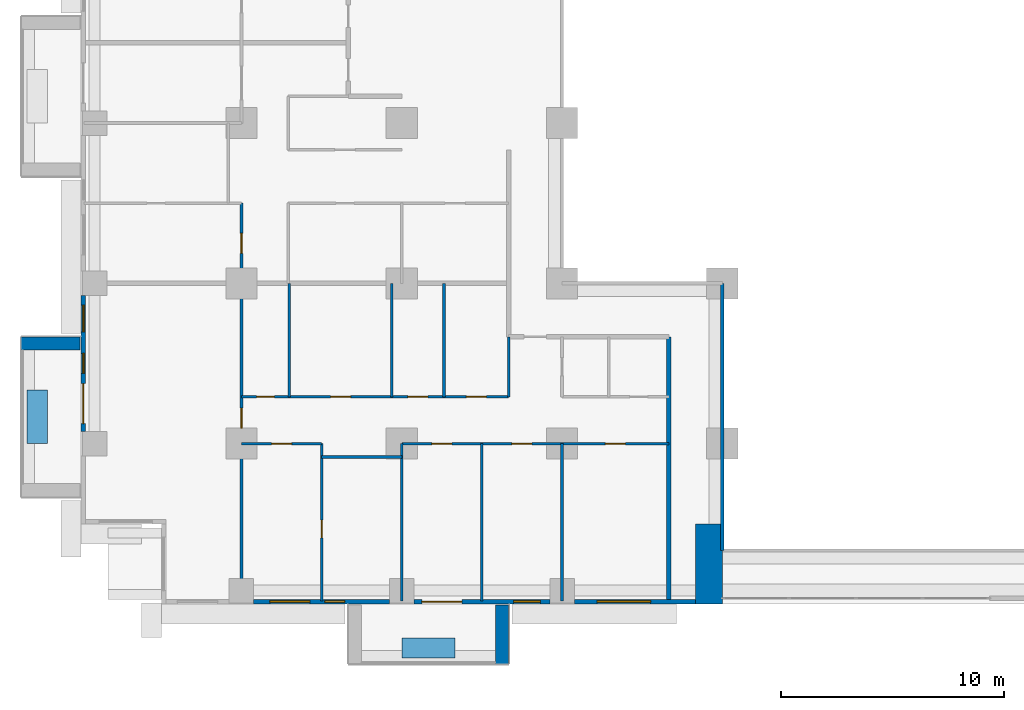
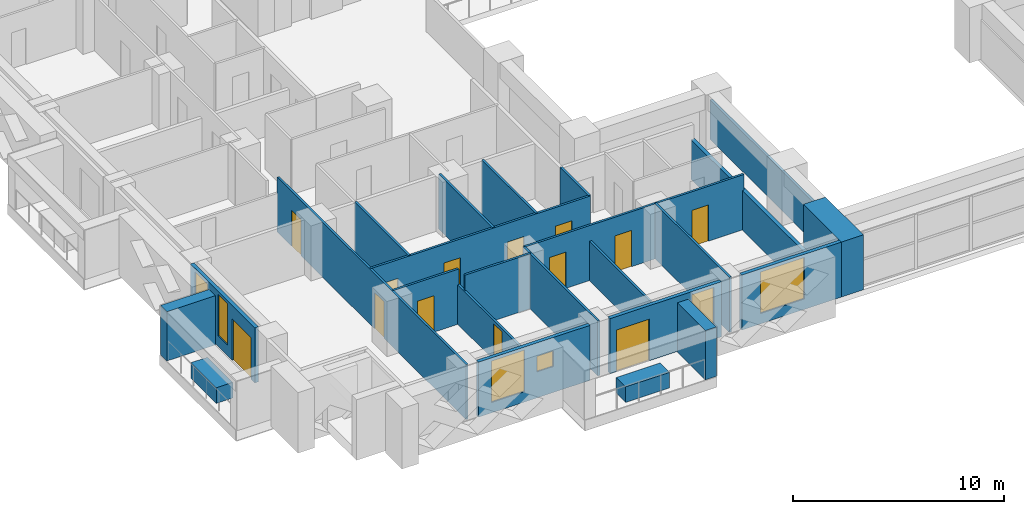
# One storey, part 6 of 17: 24 walls, 13 doors, 6 windows, 19 openings.
"""IFC4 building model written with IfcOpenShell, lengths in metres."""

from ifc_helpers import new_model, si_unit, direction, frame, frame_2d, origin, place, context, subcontext, project, spatial, rectangle, extrude, material, layer, layer_set, type_object, element, fill, save


model = new_model("IFC4")

# Units and contexts
model_context = context("Model", 3, precision=1e-05, world=origin(), true_north=direction((0.0, 1.0)))
body_context = subcontext(model_context, "Body", "Model", "MODEL_VIEW")
ifc_project = project(units=[si_unit("LENGTHUNIT", "METRE"), si_unit("AREAUNIT", "SQUARE_METRE"), si_unit("VOLUMEUNIT", "CUBIC_METRE"), si_unit("PLANEANGLEUNIT", "RADIAN"), si_unit("MASSUNIT", "GRAM", prefix="KILO")], contexts=[model_context])

# Site, building, storey
site_placement = place(None, origin())
site = spatial("IfcSite", under=ifc_project, at=site_placement, CompositionType="ELEMENT")
building_placement = place(site_placement, origin())
building = spatial("IfcBuilding", under=site, at=building_placement, Name="Saffron Iwan Residences", CompositionType="ELEMENT")
storey_placement = place(building_placement, frame((0.0, 0.0, 51.5)))
storey = spatial("IfcBuildingStorey", under=building, at=storey_placement, Name="L12", CompositionType="ELEMENT", Elevation=51.5)

# Walls
ifc_material_1 = material(Name="Fire-rated glazing", Category="glass")
ifc_layer_1 = layer(ifc_material_1, 0.14990234375)
ifc_layer_set_1 = layer_set([ifc_layer_1], Name="Fire-rated glazing")
wall_type_1 = type_object("IfcWallType", Name="Atrium glazed screen 150", PredefinedType="SOLIDWALL", material=ifc_layer_set_1)
wall_1_placement = place(storey_placement, frame((43.199951171875, 36.0, 0.0), z_axis=(0.0, 0.0, 1.0), x_axis=(0.0, 1.0, 0.0)))
element("IfcWall", 1, at=wall_1_placement, inside=storey, type_object=wall_type_1, Name="W-L12-SCREEN-v43.2-36", PredefinedType="SOLIDWALL", context=body_context, shape_type="SweptSolid", body=[
    extrude(rectangle(XDim=12.0, YDim=0.14990234375, at=frame_2d((6.0, 0.0))), origin(), (0.0, 0.0, 1.0), 2.280029296875),
])
ifc_material_2 = material(Name="Concrete C50/60 white painted", Category="concrete")
ifc_layer_2 = layer(ifc_material_2, 0.60009765625)
ifc_layer_set_2 = layer_set([ifc_layer_2], Name="Concrete C50/60 white painted")
wall_type_2 = type_object("IfcWallType", Name="BALCONY FIN 600", PredefinedType="SOLIDWALL", material=ifc_layer_set_2)
for number, where, z_axis, x_axis, name in (
    (2, (14.35009765625, 45.300048828125, 0.0), (0.0, 0.0, 1.0), (-1.0, 0.0, 0.0), "Balcony fin L12 F8-2a"),
    (3, (33.300048828125, 33.550048828125, 0.0), (0.0, 0.0, 1.0), (0.0, -1.0, 0.0), "Balcony fin L12 11-0b"),
):
    element("IfcWall", number, at=place(storey_placement, frame(where, z_axis=z_axis, x_axis=x_axis)), inside=storey, type_object=wall_type_2, Name=name, PredefinedType="SOLIDWALL", context=body_context, shape_type="SweptSolid", body=[
        extrude(rectangle(XDim=2.650146484375, YDim=0.60009765625, at=frame_2d((1.3251953125, 0.0))), origin(), (0.0, 0.0, 1.0), 2.85009765625),
    ])
ifc_material_3 = material(Name="Concrete C35/45 white painted", Category="concrete")
ifc_layer_3 = layer(ifc_material_3, 0.14990234375)
ifc_layer_set_3 = layer_set([ifc_layer_3], Name="Concrete C35/45 white painted")
wall_type_3 = type_object("IfcWallType", Name="BALCONY PLANTER", PredefinedType="SOLIDWALL", material=ifc_layer_set_3)
for number, where, z_axis, x_axis, name in (
    (4, (12.425048828125, 43.199951171875, 0.0), (0.0, 0.0, 1.0), (0.0, -1.0, 0.0), "PLANTER L12 F8-2"),
    (5, (28.800048828125, 31.625, 0.0), (0.0, 0.0, 1.0), (1.0, 0.0, 0.0), "PLANTER L12 11-0"),
):
    element("IfcWall", number, at=place(storey_placement, frame(where, z_axis=z_axis, x_axis=x_axis)), inside=storey, type_object=wall_type_3, Name=name, PredefinedType="SOLIDWALL", context=body_context, shape_type="SweptSolid", body=[
        extrude(rectangle(XDim=2.39990234375, YDim=0.89990234375, at=frame_2d((1.199951171875, 0.0))), origin(), (0.0, 0.0, 1.0), 0.89990234375),
    ])

# Wall, openings, door, windows
ifc_material_4 = material(Name="Concrete C40/50", Category="concrete")
ifc_layer_4 = layer(ifc_material_4, 0.199951171875)
ifc_layer_set_4 = layer_set([ifc_layer_4], Name="Concrete C40/50")
wall_type_4 = type_object("IfcWallType", Name="EXTERNAL WALL 200", PredefinedType="SOLIDWALL", material=ifc_layer_set_4)
wall_2_placement = place(storey_placement, frame((14.5, 47.449951171875, 0.0), z_axis=(0.0, 0.0, 1.0), x_axis=(0.0, -1.0, 0.0)))
wall_2 = element("IfcWall", 6, at=wall_2_placement, inside=storey, type_object=wall_type_4, Name="External wall L12 F8.4", PredefinedType="SOLIDWALL", context=body_context, shape_type="SweptSolid", body=[
    extrude(rectangle(XDim=6.099853515625, YDim=0.199951171875, at=frame_2d((3.0498046875, 0.0))), origin(), (0.0, 0.0, 1.0), 3.179931640625),
])
opening_1_placement = place(wall_2_placement, frame((3.949951171875, 0.0, 0.0)))
opening_1 = element("IfcOpeningElement", 7, at=opening_1_placement, cuts=wall_2, Name="Opening BD1", PredefinedType="OPENING", context=body_context, shape_type="SweptSolid", body=[
    extrude(rectangle(XDim=1.800048828125, YDim=2.39990234375, at=frame_2d((0.89990234375, 1.199951171875))), frame((0.0, 0.10986328125, 0.0), z_axis=(0.0, -1.0, 0.0), x_axis=(1.0, 0.0, 0.0)), (0.0, 0.0, 1.0), 0.219970703125),
])
opening_2_placement = place(wall_2_placement, frame((0.425048828125, 0.0, 0.60009765625)))
opening_2 = element("IfcOpeningElement", 8, at=opening_2_placement, cuts=wall_2, Name="Opening W3", PredefinedType="OPENING", context=body_context, shape_type="SweptSolid", body=[
    extrude(rectangle(XDim=1.199951171875, YDim=2.39990234375, at=frame_2d((0.60009765625, 1.199951171875))), frame((0.0, 0.10986328125, 0.0), z_axis=(0.0, -1.0, 0.0), x_axis=(1.0, 0.0, 0.0)), (0.0, 0.0, 1.0), 0.219970703125),
])
opening_3_placement = place(wall_2_placement, frame((2.60009765625, 0.0, 0.60009765625)))
opening_3 = element("IfcOpeningElement", 9, at=opening_3_placement, cuts=wall_2, Name="Opening W10", PredefinedType="OPENING", context=body_context, shape_type="SweptSolid", body=[
    extrude(rectangle(XDim=0.89990234375, YDim=2.39990234375, at=frame_2d((0.449951171875, 1.199951171875))), frame((0.0, 0.10986328125, 0.0), z_axis=(0.0, -1.0, 0.0), x_axis=(1.0, 0.0, 0.0)), (0.0, 0.0, 1.0), 0.219970703125),
])
ifc_material_5 = material(Name="Clear glass, laminated double glazed", Category="glass")
door_type_1 = type_object("IfcDoorType", Name="BALCONY DOOR 1800 x 2400", OperationType="DOUBLE_DOOR_SLIDING", PredefinedType="DOOR", material=ifc_material_5)
door_1_placement = place(opening_1_placement, origin())
door_1 = element("IfcDoor", 10, at=door_1_placement, inside=storey, type_object=door_type_1, Name="Balcony door L12 F8.0", OperationType="DOUBLE_DOOR_SLIDING", OverallHeight=2.39990234375, OverallWidth=1.800048828125, PredefinedType="DOOR", context=body_context, shape_type="SweptSolid", body=[
    extrude(rectangle(XDim=1.800048828125, YDim=2.39990234375, at=frame_2d((0.89990234375, 1.199951171875))), frame((0.0, 0.02490234375, 0.0), z_axis=(0.0, -1.0, 0.0), x_axis=(1.0, 0.0, 0.0)), (0.0, 0.0, 1.0), 0.050048828125),
])
fill(opening_1, door_1)
window_type_1 = type_object("IfcWindowType", Name="WINDOW 1200 x 2400", PartitioningType="SINGLE_PANEL", PredefinedType="WINDOW", material=ifc_material_5)
window_1_placement = place(opening_2_placement, origin())
window_1 = element("IfcWindow", 11, at=window_1_placement, inside=storey, type_object=window_type_1, Name="Window L12 F8.1", OverallHeight=2.39990234375, OverallWidth=1.199951171875, PartitioningType="SINGLE_PANEL", PredefinedType="WINDOW", context=body_context, shape_type="SweptSolid", body=[
    extrude(rectangle(XDim=1.199951171875, YDim=2.39990234375, at=frame_2d((0.60009765625, 1.199951171875))), frame((0.0, 0.030029296875, 0.0), z_axis=(0.0, -1.0, 0.0), x_axis=(1.0, 0.0, 0.0)), (0.0, 0.0, 1.0), 0.06005859375),
])
fill(opening_2, window_1)
window_type_2 = type_object("IfcWindowType", Name="WINDOW 900 x 2400", PartitioningType="SINGLE_PANEL", PredefinedType="WINDOW", material=ifc_material_5)
window_2_placement = place(opening_3_placement, origin())
window_2 = element("IfcWindow", 12, at=window_2_placement, inside=storey, type_object=window_type_2, Name="Window L12 F8.2", OverallHeight=2.39990234375, OverallWidth=0.89990234375, PartitioningType="SINGLE_PANEL", PredefinedType="WINDOW", context=body_context, shape_type="SweptSolid", body=[
    extrude(rectangle(XDim=0.89990234375, YDim=2.39990234375, at=frame_2d((0.449951171875, 1.199951171875))), frame((0.0, 0.030029296875, 0.0), z_axis=(0.0, -1.0, 0.0), x_axis=(1.0, 0.0, 0.0)), (0.0, 0.0, 1.0), 0.06005859375),
])
fill(opening_3, window_2)

# Wall, openings, windows
wall_3_placement = place(storey_placement, frame((22.14990234375, 33.699951171875, 0.0), z_axis=(0.0, 0.0, 1.0), x_axis=(1.0, 0.0, 0.0)))
wall_3 = element("IfcWall", 13, at=wall_3_placement, inside=storey, type_object=wall_type_4, Name="External wall L12 F11.1", PredefinedType="SOLIDWALL", context=body_context, shape_type="SweptSolid", body=[
    extrude(rectangle(XDim=6.10009765625, YDim=0.199951171875, at=frame_2d((3.050048828125, 0.0))), origin(), (0.0, 0.0, 1.0), 3.179931640625),
])
opening_4_placement = place(wall_3_placement, frame((0.72509765625, 0.0, 0.60009765625)))
opening_4 = element("IfcOpeningElement", 14, at=opening_4_placement, cuts=wall_3, Name="Opening W8", PredefinedType="OPENING", context=body_context, shape_type="SweptSolid", body=[
    extrude(rectangle(XDim=1.800048828125, YDim=2.39990234375, at=frame_2d((0.89990234375, 1.199951171875))), frame((0.0, 0.10986328125, 0.0), z_axis=(0.0, -1.0, 0.0), x_axis=(1.0, 0.0, 0.0)), (0.0, 0.0, 1.0), 0.219970703125),
])
opening_5_placement = place(wall_3_placement, frame((3.199951171875, 0.0, 1.5)))
opening_5 = element("IfcOpeningElement", 15, at=opening_5_placement, cuts=wall_3, Name="Opening W6", PredefinedType="OPENING", context=body_context, shape_type="SweptSolid", body=[
    extrude(rectangle(XDim=0.89990234375, YDim=0.89990234375, at=frame_2d((0.449951171875, 0.449951171875))), frame((0.0, 0.10986328125, 0.0), z_axis=(0.0, -1.0, 0.0), x_axis=(1.0, 0.0, 0.0)), (0.0, 0.0, 1.0), 0.219970703125),
])
window_type_3 = type_object("IfcWindowType", Name="WINDOW 1800 x 2400", PartitioningType="DOUBLE_PANEL_VERTICAL", PredefinedType="WINDOW", material=ifc_material_5)
window_3_placement = place(opening_4_placement, origin())
window_3 = element("IfcWindow", 16, at=window_3_placement, inside=storey, type_object=window_type_3, Name="Window L12 F11.0", OverallHeight=2.39990234375, OverallWidth=1.800048828125, PartitioningType="DOUBLE_PANEL_VERTICAL", PredefinedType="WINDOW", context=body_context, shape_type="SweptSolid", body=[
    extrude(rectangle(XDim=1.800048828125, YDim=2.39990234375, at=frame_2d((0.89990234375, 1.199951171875))), frame((0.0, 0.030029296875, 0.0), z_axis=(0.0, -1.0, 0.0), x_axis=(1.0, 0.0, 0.0)), (0.0, 0.0, 1.0), 0.06005859375),
])
fill(opening_4, window_3)
window_type_4 = type_object("IfcWindowType", Name="WINDOW 900 x 900 BATH", PartitioningType="SINGLE_PANEL", PredefinedType="WINDOW", material=ifc_material_5)
window_4_placement = place(opening_5_placement, origin())
window_4 = element("IfcWindow", 17, at=window_4_placement, inside=storey, type_object=window_type_4, Name="Window L12 F11.1", OverallHeight=0.89990234375, OverallWidth=0.89990234375, PartitioningType="SINGLE_PANEL", PredefinedType="WINDOW", context=body_context, shape_type="SweptSolid", body=[
    extrude(rectangle(XDim=0.89990234375, YDim=0.89990234375, at=frame_2d((0.449951171875, 0.449951171875))), frame((0.0, 0.030029296875, 0.0), z_axis=(0.0, -1.0, 0.0), x_axis=(1.0, 0.0, 0.0)), (0.0, 0.0, 1.0), 0.06005859375),
])
fill(opening_5, window_4)

# Wall, openings, door, window
wall_4_placement = place(storey_placement, frame((29.35009765625, 33.699951171875, 0.0), z_axis=(0.0, 0.0, 1.0), x_axis=(1.0, 0.0, 0.0)))
wall_4 = element("IfcWall", 18, at=wall_4_placement, inside=storey, type_object=wall_type_4, Name="External wall L12 F11.2", PredefinedType="SOLIDWALL", context=body_context, shape_type="SweptSolid", body=[
    extrude(rectangle(XDim=6.099853515625, YDim=0.199951171875, at=frame_2d((3.0498046875, 0.0))), origin(), (0.0, 0.0, 1.0), 3.179931640625),
])
opening_6_placement = place(wall_4_placement, frame((0.35009765625, 0.0, 0.0)))
opening_6 = element("IfcOpeningElement", 19, at=opening_6_placement, cuts=wall_4, Name="Opening BD1", PredefinedType="OPENING", context=body_context, shape_type="SweptSolid", body=[
    extrude(rectangle(XDim=1.800048828125, YDim=2.39990234375, at=frame_2d((0.89990234375, 1.199951171875))), frame((0.0, 0.10986328125, 0.0), z_axis=(0.0, -1.0, 0.0), x_axis=(1.0, 0.0, 0.0)), (0.0, 0.0, 1.0), 0.219970703125),
])
opening_7_placement = place(wall_4_placement, frame((4.47509765625, 0.0, 0.60009765625)))
opening_7 = element("IfcOpeningElement", 20, at=opening_7_placement, cuts=wall_4, Name="Opening W3", PredefinedType="OPENING", context=body_context, shape_type="SweptSolid", body=[
    extrude(rectangle(XDim=1.199951171875, YDim=2.39990234375, at=frame_2d((0.60009765625, 1.199951171875))), frame((0.0, 0.10986328125, 0.0), z_axis=(0.0, -1.0, 0.0), x_axis=(1.0, 0.0, 0.0)), (0.0, 0.0, 1.0), 0.219970703125),
])
door_2_placement = place(opening_6_placement, origin())
door_2 = element("IfcDoor", 21, at=door_2_placement, inside=storey, type_object=door_type_1, Name="Balcony door L12 F11.0", OperationType="DOUBLE_DOOR_SLIDING", OverallHeight=2.39990234375, OverallWidth=1.800048828125, PredefinedType="DOOR", context=body_context, shape_type="SweptSolid", body=[
    extrude(rectangle(XDim=1.800048828125, YDim=2.39990234375, at=frame_2d((0.89990234375, 1.199951171875))), frame((0.0, 0.02490234375, 0.0), z_axis=(0.0, -1.0, 0.0), x_axis=(1.0, 0.0, 0.0)), (0.0, 0.0, 1.0), 0.050048828125),
])
fill(opening_6, door_2)
window_5_placement = place(opening_7_placement, origin())
window_5 = element("IfcWindow", 22, at=window_5_placement, inside=storey, type_object=window_type_1, Name="Window L12 F11.1", OverallHeight=2.39990234375, OverallWidth=1.199951171875, PartitioningType="SINGLE_PANEL", PredefinedType="WINDOW", context=body_context, shape_type="SweptSolid", body=[
    extrude(rectangle(XDim=1.199951171875, YDim=2.39990234375, at=frame_2d((0.60009765625, 1.199951171875))), frame((0.0, 0.030029296875, 0.0), z_axis=(0.0, -1.0, 0.0), x_axis=(1.0, 0.0, 0.0)), (0.0, 0.0, 1.0), 0.06005859375),
])
fill(opening_7, window_5)

# Wall, opening, window
wall_5_placement = place(storey_placement, frame((36.550048828125, 33.699951171875, 0.0), z_axis=(0.0, 0.0, 1.0), x_axis=(1.0, 0.0, 0.0)))
wall_5 = element("IfcWall", 23, at=wall_5_placement, inside=storey, type_object=wall_type_4, Name="External wall L12 F11.3", PredefinedType="SOLIDWALL", context=body_context, shape_type="SweptSolid", body=[
    extrude(rectangle(XDim=5.449951171875, YDim=0.199951171875, at=frame_2d((2.72509765625, 0.0))), origin(), (0.0, 0.0, 1.0), 3.179931640625),
])
opening_8_placement = place(wall_5_placement, frame((1.02490234375, 0.0, 0.60009765625)))
opening_8 = element("IfcOpeningElement", 24, at=opening_8_placement, cuts=wall_5, Name="Opening W1", PredefinedType="OPENING", context=body_context, shape_type="SweptSolid", body=[
    extrude(rectangle(XDim=2.39990234375, YDim=2.39990234375, at=frame_2d((1.199951171875, 1.199951171875))), frame((0.0, 0.10986328125, 0.0), z_axis=(0.0, -1.0, 0.0), x_axis=(1.0, 0.0, 0.0)), (0.0, 0.0, 1.0), 0.219970703125),
])
window_type_5 = type_object("IfcWindowType", Name="WINDOW 2400 x 2400", PartitioningType="DOUBLE_PANEL_VERTICAL", PredefinedType="WINDOW", material=ifc_material_5)
window_6_placement = place(opening_8_placement, origin())
window_6 = element("IfcWindow", 25, at=window_6_placement, inside=storey, type_object=window_type_5, Name="Window L12 F11.0", OverallHeight=2.39990234375, OverallWidth=2.39990234375, PartitioningType="DOUBLE_PANEL_VERTICAL", PredefinedType="WINDOW", context=body_context, shape_type="SweptSolid", body=[
    extrude(rectangle(XDim=2.39990234375, YDim=2.39990234375, at=frame_2d((1.199951171875, 1.199951171875))), frame((0.0, 0.030029296875, 0.0), z_axis=(0.0, -1.0, 0.0), x_axis=(1.0, 0.0, 0.0)), (0.0, 0.0, 1.0), 0.06005859375),
])
fill(opening_8, window_6)

# Wall
ifc_material_6 = material(Name="Gypsum board partition")
ifc_layer_5 = layer(ifc_material_6, 0.1201171875)
ifc_layer_set_5 = layer_set([ifc_layer_5], Name="Gypsum board partition")
wall_type_5 = type_object("IfcWallType", Name="Flat partition 120", PredefinedType="PARTITIONING", material=ifc_layer_set_5)
wall_6_placement = place(storey_placement, frame((25.199951171875, 40.199951171875, 0.0), z_axis=(0.0, 0.0, 1.0), x_axis=(1.0, 0.0, 0.0)))
element("IfcWall", 26, at=wall_6_placement, inside=storey, type_object=wall_type_5, Name="W-L12-PART-h40.2-25.2", PredefinedType="PARTITIONING", context=body_context, shape_type="SweptSolid", body=[
    extrude(rectangle(XDim=3.60009765625, YDim=0.1201171875, at=frame_2d((1.800048828125, 0.0))), origin(), (0.0, 0.0, 1.0), 3.179931640625),
])

# Wall, opening, door
wall_7_placement = place(storey_placement, frame((21.60009765625, 40.800048828125, 0.0), z_axis=(0.0, 0.0, 1.0), x_axis=(1.0, 0.0, 0.0)))
wall_7 = element("IfcWall", 27, at=wall_7_placement, inside=storey, type_object=wall_type_5, Name="W-L12-PART-h40.8-21.6", PredefinedType="PARTITIONING", context=body_context, shape_type="SweptSolid", body=[
    extrude(rectangle(XDim=3.599853515625, YDim=0.1201171875, at=frame_2d((1.7998046875, 0.0))), origin(), (0.0, 0.0, 1.0), 3.179931640625),
])
opening_9_placement = place(wall_7_placement, frame((1.35009765625, 0.0, 0.0)))
opening_9 = element("IfcOpeningElement", 28, at=opening_9_placement, cuts=wall_7, Name="Opening FD2", PredefinedType="OPENING", context=body_context, shape_type="SweptSolid", body=[
    extrude(rectangle(XDim=0.89990234375, YDim=2.10009765625, at=frame_2d((0.449951171875, 1.050048828125))), frame((0.0, 0.070068359375, 0.0), z_axis=(0.0, -1.0, 0.0), x_axis=(1.0, 0.0, 0.0)), (0.0, 0.0, 1.0), 0.14013671875),
])
ifc_material_7 = material(Name="Timber door", Category="wood")
door_type_2 = type_object("IfcDoorType", Name="Flat door 900", OperationType="NOTDEFINED", PredefinedType="DOOR", material=ifc_material_7)
door_3_placement = place(opening_9_placement, origin())
door_3 = element("IfcDoor", 29, at=door_3_placement, inside=storey, type_object=door_type_2, Name="Door L12-003", OperationType="SINGLE_SWING_LEFT", OverallHeight=2.10009765625, OverallWidth=0.89990234375, PredefinedType="DOOR", context=body_context, shape_type="SweptSolid", body=[
    extrude(rectangle(XDim=0.89990234375, YDim=2.10009765625, at=frame_2d((0.449951171875, 1.050048828125))), frame((0.0, 0.02490234375, 0.0), z_axis=(0.0, -1.0, 0.0), x_axis=(1.0, 0.0, 0.0)), (0.0, 0.0, 1.0), 0.050048828125),
])
fill(opening_9, door_3)

# Wall, openings, doors
wall_8_placement = place(storey_placement, frame((28.800048828125, 40.800048828125, 0.0), z_axis=(0.0, 0.0, 1.0), x_axis=(1.0, 0.0, 0.0)))
wall_8 = element("IfcWall", 30, at=wall_8_placement, inside=storey, type_object=wall_type_5, Name="W-L12-PART-h40.8-28.8", PredefinedType="PARTITIONING", context=body_context, shape_type="SweptSolid", body=[
    extrude(rectangle(XDim=12.0, YDim=0.1201171875, at=frame_2d((6.0, 0.0))), origin(), (0.0, 0.0, 1.0), 3.179931640625),
])
opening_10_placement = place(wall_8_placement, frame((1.35009765625, 0.0, 0.0)))
opening_10 = element("IfcOpeningElement", 31, at=opening_10_placement, cuts=wall_8, Name="Opening FD2", PredefinedType="OPENING", context=body_context, shape_type="SweptSolid", body=[
    extrude(rectangle(XDim=0.89990234375, YDim=2.10009765625, at=frame_2d((0.449951171875, 1.050048828125))), frame((0.0, 0.070068359375, 0.0), z_axis=(0.0, -1.0, 0.0), x_axis=(1.0, 0.0, 0.0)), (0.0, 0.0, 1.0), 0.14013671875),
])
opening_11_placement = place(wall_8_placement, frame((4.949951171875, 0.0, 0.0)))
opening_11 = element("IfcOpeningElement", 32, at=opening_11_placement, cuts=wall_8, Name="Opening FD2", PredefinedType="OPENING", context=body_context, shape_type="SweptSolid", body=[
    extrude(rectangle(XDim=0.89990234375, YDim=2.10009765625, at=frame_2d((0.449951171875, 1.050048828125))), frame((0.0, 0.070068359375, 0.0), z_axis=(0.0, -1.0, 0.0), x_axis=(1.0, 0.0, 0.0)), (0.0, 0.0, 1.0), 0.14013671875),
])
opening_12_placement = place(wall_8_placement, frame((9.14990234375, 0.0, 0.0)))
opening_12 = element("IfcOpeningElement", 33, at=opening_12_placement, cuts=wall_8, Name="Opening FD2", PredefinedType="OPENING", context=body_context, shape_type="SweptSolid", body=[
    extrude(rectangle(XDim=0.89990234375, YDim=2.10009765625, at=frame_2d((0.449951171875, 1.050048828125))), frame((0.0, 0.070068359375, 0.0), z_axis=(0.0, -1.0, 0.0), x_axis=(1.0, 0.0, 0.0)), (0.0, 0.0, 1.0), 0.14013671875),
])
door_4_placement = place(opening_10_placement, origin())
door_4 = element("IfcDoor", 34, at=door_4_placement, inside=storey, type_object=door_type_2, Name="Door L12-005", OperationType="SINGLE_SWING_LEFT", OverallHeight=2.10009765625, OverallWidth=0.89990234375, PredefinedType="DOOR", context=body_context, shape_type="SweptSolid", body=[
    extrude(rectangle(XDim=0.89990234375, YDim=2.10009765625, at=frame_2d((0.449951171875, 1.050048828125))), frame((0.0, 0.02490234375, 0.0), z_axis=(0.0, -1.0, 0.0), x_axis=(1.0, 0.0, 0.0)), (0.0, 0.0, 1.0), 0.050048828125),
])
fill(opening_10, door_4)
door_5_placement = place(opening_11_placement, origin())
door_5 = element("IfcDoor", 35, at=door_5_placement, inside=storey, type_object=door_type_2, Name="Door L12-006", OperationType="SINGLE_SWING_LEFT", OverallHeight=2.10009765625, OverallWidth=0.89990234375, PredefinedType="DOOR", context=body_context, shape_type="SweptSolid", body=[
    extrude(rectangle(XDim=0.89990234375, YDim=2.10009765625, at=frame_2d((0.449951171875, 1.050048828125))), frame((0.0, 0.02490234375, 0.0), z_axis=(0.0, -1.0, 0.0), x_axis=(1.0, 0.0, 0.0)), (0.0, 0.0, 1.0), 0.050048828125),
])
fill(opening_11, door_5)
door_6_placement = place(opening_12_placement, origin())
door_6 = element("IfcDoor", 36, at=door_6_placement, inside=storey, type_object=door_type_2, Name="Door L12-007", OperationType="SINGLE_SWING_RIGHT", OverallHeight=2.10009765625, OverallWidth=0.89990234375, PredefinedType="DOOR", context=body_context, shape_type="SweptSolid", body=[
    extrude(rectangle(XDim=0.89990234375, YDim=2.10009765625, at=frame_2d((0.449951171875, 1.050048828125))), frame((0.0, 0.02490234375, 0.0), z_axis=(0.0, -1.0, 0.0), x_axis=(1.0, 0.0, 0.0)), (0.0, 0.0, 1.0), 0.050048828125),
])
fill(opening_12, door_6)

wall_9_placement = place(storey_placement, frame((21.60009765625, 42.89990234375, 0.0), z_axis=(0.0, 0.0, 1.0), x_axis=(1.0, 0.0, 0.0)))
wall_9 = element("IfcWall", 37, at=wall_9_placement, inside=storey, type_object=wall_type_5, Name="W-L12-PART-h42.9-21.6", PredefinedType="PARTITIONING", context=body_context, shape_type="SweptSolid", body=[
    extrude(rectangle(XDim=12.0, YDim=0.1201171875, at=frame_2d((6.0, 0.0))), origin(), (0.0, 0.0, 1.0), 3.179931640625),
])
opening_13_placement = place(wall_9_placement, frame((0.675048828125, 0.0, 0.0)))
opening_13 = element("IfcOpeningElement", 38, at=opening_13_placement, cuts=wall_9, Name="Opening FD3", PredefinedType="OPENING", context=body_context, shape_type="SweptSolid", body=[
    extrude(rectangle(XDim=0.800048828125, YDim=2.10009765625, at=frame_2d((0.39990234375, 1.050048828125))), frame((0.0, 0.070068359375, 0.0), z_axis=(0.0, -1.0, 0.0), x_axis=(1.0, 0.0, 0.0)), (0.0, 0.0, 1.0), 0.14013671875),
])
opening_14_placement = place(wall_9_placement, frame((4.0, 0.0, 0.0)))
opening_14 = element("IfcOpeningElement", 39, at=opening_14_placement, cuts=wall_9, Name="Opening FD2", PredefinedType="OPENING", context=body_context, shape_type="SweptSolid", body=[
    extrude(rectangle(XDim=0.89990234375, YDim=2.10009765625, at=frame_2d((0.449951171875, 1.050048828125))), frame((0.0, 0.070068359375, 0.0), z_axis=(0.0, -1.0, 0.0), x_axis=(1.0, 0.0, 0.0)), (0.0, 0.0, 1.0), 0.14013671875),
])
opening_15_placement = place(wall_9_placement, frame((7.47509765625, 0.0, 0.0)))
opening_15 = element("IfcOpeningElement", 40, at=opening_15_placement, cuts=wall_9, Name="Opening FD2", PredefinedType="OPENING", context=body_context, shape_type="SweptSolid", body=[
    extrude(rectangle(XDim=0.89990234375, YDim=2.10009765625, at=frame_2d((0.449951171875, 1.050048828125))), frame((0.0, 0.070068359375, 0.0), z_axis=(0.0, -1.0, 0.0), x_axis=(1.0, 0.0, 0.0)), (0.0, 0.0, 1.0), 0.14013671875),
])
opening_16_placement = place(wall_9_placement, frame((10.10009765625, 0.0, 0.0)))
opening_16 = element("IfcOpeningElement", 41, at=opening_16_placement, cuts=wall_9, Name="Opening FD2", PredefinedType="OPENING", context=body_context, shape_type="SweptSolid", body=[
    extrude(rectangle(XDim=0.89990234375, YDim=2.10009765625, at=frame_2d((0.449951171875, 1.050048828125))), frame((0.0, 0.070068359375, 0.0), z_axis=(0.0, -1.0, 0.0), x_axis=(1.0, 0.0, 0.0)), (0.0, 0.0, 1.0), 0.14013671875),
])
door_type_3 = type_object("IfcDoorType", Name="Bathroom door 800", OperationType="NOTDEFINED", PredefinedType="DOOR", material=ifc_material_7)
door_7_placement = place(opening_13_placement, origin())
door_7 = element("IfcDoor", 42, at=door_7_placement, inside=storey, type_object=door_type_3, Name="Door L12-008", OperationType="SINGLE_SWING_LEFT", OverallHeight=2.10009765625, OverallWidth=0.800048828125, PredefinedType="DOOR", context=body_context, shape_type="SweptSolid", body=[
    extrude(rectangle(XDim=0.800048828125, YDim=2.10009765625, at=frame_2d((0.39990234375, 1.050048828125))), frame((0.0, 0.02490234375, 0.0), z_axis=(0.0, -1.0, 0.0), x_axis=(1.0, 0.0, 0.0)), (0.0, 0.0, 1.0), 0.050048828125),
])
fill(opening_13, door_7)
door_8_placement = place(opening_14_placement, origin())
door_8 = element("IfcDoor", 43, at=door_8_placement, inside=storey, type_object=door_type_2, Name="Door L12-009", OperationType="SINGLE_SWING_LEFT", OverallHeight=2.10009765625, OverallWidth=0.89990234375, PredefinedType="DOOR", context=body_context, shape_type="SweptSolid", body=[
    extrude(rectangle(XDim=0.89990234375, YDim=2.10009765625, at=frame_2d((0.449951171875, 1.050048828125))), frame((0.0, 0.02490234375, 0.0), z_axis=(0.0, -1.0, 0.0), x_axis=(1.0, 0.0, 0.0)), (0.0, 0.0, 1.0), 0.050048828125),
])
fill(opening_14, door_8)
door_9_placement = place(opening_15_placement, origin())
door_9 = element("IfcDoor", 44, at=door_9_placement, inside=storey, type_object=door_type_2, Name="Door L12-010", OperationType="SINGLE_SWING_RIGHT", OverallHeight=2.10009765625, OverallWidth=0.89990234375, PredefinedType="DOOR", context=body_context, shape_type="SweptSolid", body=[
    extrude(rectangle(XDim=0.89990234375, YDim=2.10009765625, at=frame_2d((0.449951171875, 1.050048828125))), frame((0.0, 0.02490234375, 0.0), z_axis=(0.0, -1.0, 0.0), x_axis=(1.0, 0.0, 0.0)), (0.0, 0.0, 1.0), 0.050048828125),
])
fill(opening_15, door_9)
door_10_placement = place(opening_16_placement, origin())
door_10 = element("IfcDoor", 45, at=door_10_placement, inside=storey, type_object=door_type_2, Name="Door L12-011", OperationType="SINGLE_SWING_LEFT", OverallHeight=2.10009765625, OverallWidth=0.89990234375, PredefinedType="DOOR", context=body_context, shape_type="SweptSolid", body=[
    extrude(rectangle(XDim=0.89990234375, YDim=2.10009765625, at=frame_2d((0.449951171875, 1.050048828125))), frame((0.0, 0.02490234375, 0.0), z_axis=(0.0, -1.0, 0.0), x_axis=(1.0, 0.0, 0.0)), (0.0, 0.0, 1.0), 0.050048828125),
])
fill(opening_16, door_10)

wall_10_placement = place(storey_placement, frame((21.60009765625, 33.72509765625, 0.0), z_axis=(0.0, 0.0, 1.0), x_axis=(0.0, 1.0, 0.0)))
wall_10 = element("IfcWall", 46, at=wall_10_placement, inside=storey, type_object=wall_type_5, Name="W-L12-PART-v21.6-33.725", PredefinedType="PARTITIONING", context=body_context, shape_type="SweptSolid", body=[
    extrude(rectangle(XDim=17.875, YDim=0.1201171875, at=frame_2d((8.9375, 0.0))), origin(), (0.0, 0.0, 1.0), 3.179931640625),
])
opening_17_placement = place(wall_10_placement, frame((7.77490234375, 0.0, 0.0)))
opening_17 = element("IfcOpeningElement", 47, at=opening_17_placement, cuts=wall_10, Name="Opening FD2", PredefinedType="OPENING", context=body_context, shape_type="SweptSolid", body=[
    extrude(rectangle(XDim=0.89990234375, YDim=2.10009765625, at=frame_2d((0.449951171875, 1.050048828125))), frame((0.0, 0.070068359375, 0.0), z_axis=(0.0, -1.0, 0.0), x_axis=(1.0, 0.0, 0.0)), (0.0, 0.0, 1.0), 0.14013671875),
])
opening_18_placement = place(wall_10_placement, frame((15.625, 0.0, 0.0)))
opening_18 = element("IfcOpeningElement", 48, at=opening_18_placement, cuts=wall_10, Name="Opening FD2", PredefinedType="OPENING", context=body_context, shape_type="SweptSolid", body=[
    extrude(rectangle(XDim=0.89990234375, YDim=2.10009765625, at=frame_2d((0.449951171875, 1.050048828125))), frame((0.0, 0.070068359375, 0.0), z_axis=(0.0, -1.0, 0.0), x_axis=(1.0, 0.0, 0.0)), (0.0, 0.0, 1.0), 0.14013671875),
])
door_11_placement = place(opening_17_placement, origin())
door_11 = element("IfcDoor", 49, at=door_11_placement, inside=storey, type_object=door_type_2, Name="Door L12-002", OperationType="SINGLE_SWING_RIGHT", OverallHeight=2.10009765625, OverallWidth=0.89990234375, PredefinedType="DOOR", context=body_context, shape_type="SweptSolid", body=[
    extrude(rectangle(XDim=0.89990234375, YDim=2.10009765625, at=frame_2d((0.449951171875, 1.050048828125))), frame((0.0, 0.02490234375, 0.0), z_axis=(0.0, -1.0, 0.0), x_axis=(1.0, 0.0, 0.0)), (0.0, 0.0, 1.0), 0.050048828125),
])
fill(opening_17, door_11)
door_12_placement = place(opening_18_placement, origin())
door_12 = element("IfcDoor", 50, at=door_12_placement, inside=storey, type_object=door_type_2, Name="Door L12-015", OperationType="SINGLE_SWING_LEFT", OverallHeight=2.10009765625, OverallWidth=0.89990234375, PredefinedType="DOOR", context=body_context, shape_type="SweptSolid", body=[
    extrude(rectangle(XDim=0.89990234375, YDim=2.10009765625, at=frame_2d((0.449951171875, 1.050048828125))), frame((0.0, 0.02490234375, 0.0), z_axis=(0.0, -1.0, 0.0), x_axis=(1.0, 0.0, 0.0)), (0.0, 0.0, 1.0), 0.050048828125),
])
fill(opening_18, door_12)

# Wall
wall_11_placement = place(storey_placement, frame((23.75, 42.89990234375, 0.0), z_axis=(0.0, 0.0, 1.0), x_axis=(0.0, 1.0, 0.0)))
element("IfcWall", 51, at=wall_11_placement, inside=storey, type_object=wall_type_5, Name="W-L12-PART-v23.75-42.9", PredefinedType="PARTITIONING", context=body_context, shape_type="SweptSolid", body=[
    extrude(rectangle(XDim=5.10009765625, YDim=0.1201171875, at=frame_2d((2.550048828125, 0.0))), origin(), (0.0, 0.0, 1.0), 3.179931640625),
])

# Wall, opening, door
wall_12_placement = place(storey_placement, frame((25.199951171875, 33.72509765625, 0.0), z_axis=(0.0, 0.0, 1.0), x_axis=(0.0, 1.0, 0.0)))
wall_12 = element("IfcWall", 52, at=wall_12_placement, inside=storey, type_object=wall_type_5, Name="W-L12-PART-v25.2-33.725", PredefinedType="PARTITIONING", context=body_context, shape_type="SweptSolid", body=[
    extrude(rectangle(XDim=7.074951171875, YDim=0.1201171875, at=frame_2d((3.53759765625, 0.0))), origin(), (0.0, 0.0, 1.0), 2.280029296875),
])
opening_19_placement = place(wall_12_placement, frame((2.83740234375, 0.0, 0.0)))
opening_19 = element("IfcOpeningElement", 53, at=opening_19_placement, cuts=wall_12, Name="Opening FD3", PredefinedType="OPENING", context=body_context, shape_type="SweptSolid", body=[
    extrude(rectangle(XDim=0.800048828125, YDim=2.10009765625, at=frame_2d((0.39990234375, 1.050048828125))), frame((0.0, 0.070068359375, 0.0), z_axis=(0.0, -1.0, 0.0), x_axis=(1.0, 0.0, 0.0)), (0.0, 0.0, 1.0), 0.14013671875),
])
door_13_placement = place(opening_19_placement, origin())
door_13 = element("IfcDoor", 54, at=door_13_placement, inside=storey, type_object=door_type_3, Name="Door L12-004", OperationType="SINGLE_SWING_RIGHT", OverallHeight=2.10009765625, OverallWidth=0.800048828125, PredefinedType="DOOR", context=body_context, shape_type="SweptSolid", body=[
    extrude(rectangle(XDim=0.800048828125, YDim=2.10009765625, at=frame_2d((0.39990234375, 1.050048828125))), frame((0.0, 0.02490234375, 0.0), z_axis=(0.0, -1.0, 0.0), x_axis=(1.0, 0.0, 0.0)), (0.0, 0.0, 1.0), 0.050048828125),
])
fill(opening_19, door_13)

# Walls
wall_13_placement = place(storey_placement, frame((28.35009765625, 42.89990234375, 0.0), z_axis=(0.0, 0.0, 1.0), x_axis=(0.0, 1.0, 0.0)))
element("IfcWall", 55, at=wall_13_placement, inside=storey, type_object=wall_type_5, Name="W-L12-PART-v28.35-42.9", PredefinedType="PARTITIONING", context=body_context, shape_type="SweptSolid", body=[
    extrude(rectangle(XDim=5.10009765625, YDim=0.1201171875, at=frame_2d((2.550048828125, 0.0))), origin(), (0.0, 0.0, 1.0), 3.179931640625),
])
wall_14_placement = place(storey_placement, frame((28.800048828125, 33.72509765625, 0.0), z_axis=(0.0, 0.0, 1.0), x_axis=(0.0, 1.0, 0.0)))
element("IfcWall", 56, at=wall_14_placement, inside=storey, type_object=wall_type_5, Name="W-L12-PART-v28.8-33.725", PredefinedType="PARTITIONING", context=body_context, shape_type="SweptSolid", body=[
    extrude(rectangle(XDim=7.074951171875, YDim=0.1201171875, at=frame_2d((3.53759765625, 0.0))), origin(), (0.0, 0.0, 1.0), 3.179931640625),
])
wall_15_placement = place(storey_placement, frame((30.699951171875, 42.89990234375, 0.0), z_axis=(0.0, 0.0, 1.0), x_axis=(0.0, 1.0, 0.0)))
element("IfcWall", 57, at=wall_15_placement, inside=storey, type_object=wall_type_5, Name="W-L12-PART-v30.7-42.9", PredefinedType="PARTITIONING", context=body_context, shape_type="SweptSolid", body=[
    extrude(rectangle(XDim=5.10009765625, YDim=0.1201171875, at=frame_2d((2.550048828125, 0.0))), origin(), (0.0, 0.0, 1.0), 3.179931640625),
])
wall_16_placement = place(storey_placement, frame((32.39990234375, 33.72509765625, 0.0), z_axis=(0.0, 0.0, 1.0), x_axis=(0.0, 1.0, 0.0)))
element("IfcWall", 58, at=wall_16_placement, inside=storey, type_object=wall_type_5, Name="W-L12-PART-v32.4-33.725", PredefinedType="PARTITIONING", context=body_context, shape_type="SweptSolid", body=[
    extrude(rectangle(XDim=7.074951171875, YDim=0.1201171875, at=frame_2d((3.53759765625, 0.0))), origin(), (0.0, 0.0, 1.0), 2.280029296875),
])
wall_17_placement = place(storey_placement, frame((33.60009765625, 42.89990234375, 0.0), z_axis=(0.0, 0.0, 1.0), x_axis=(0.0, 1.0, 0.0)))
element("IfcWall", 59, at=wall_17_placement, inside=storey, type_object=wall_type_5, Name="W-L12-PART-v33.6-42.9", PredefinedType="PARTITIONING", context=body_context, shape_type="SweptSolid", body=[
    extrude(rectangle(XDim=2.7001953125, YDim=0.1201171875, at=frame_2d((1.35009765625, 0.0))), origin(), (0.0, 0.0, 1.0), 3.179931640625),
])
wall_18_placement = place(storey_placement, frame((36.0, 33.72509765625, 0.0), z_axis=(0.0, 0.0, 1.0), x_axis=(0.0, 1.0, 0.0)))
element("IfcWall", 60, at=wall_18_placement, inside=storey, type_object=wall_type_5, Name="W-L12-PART-v36-33.725", PredefinedType="PARTITIONING", context=body_context, shape_type="SweptSolid", body=[
    extrude(rectangle(XDim=7.074951171875, YDim=0.1201171875, at=frame_2d((3.53759765625, 0.0))), origin(), (0.0, 0.0, 1.0), 3.179931640625),
])
ifc_material_8 = material(Name="Fire-rated gypsum board wall")
ifc_layer_6 = layer(ifc_material_8, 0.199951171875)
ifc_layer_set_6 = layer_set([ifc_layer_6], Name="Fire-rated gypsum board wall")
wall_type_6 = type_object("IfcWallType", Name="Gallery wall 200", PredefinedType="SOLIDWALL", material=ifc_layer_set_6)
wall_19_placement = place(storey_placement, frame((40.800048828125, 33.72509765625, 0.0), z_axis=(0.0, 0.0, 1.0), x_axis=(0.0, 1.0, 0.0)))
element("IfcWall", 61, at=wall_19_placement, inside=storey, type_object=wall_type_6, Name="W-L12-CORR-v40.8-33.725", PredefinedType="SOLIDWALL", context=body_context, shape_type="SweptSolid", body=[
    extrude(rectangle(XDim=11.875, YDim=0.199951171875, at=frame_2d((5.9375, 0.0))), origin(), (0.0, 0.0, 1.0), 2.280029296875),
])
ifc_material_9 = material(Name="Concrete C60/75", Category="concrete")
ifc_layer_7 = layer(ifc_material_9, 1.199951171875)
ifc_layer_set_7 = layer_set([ifc_layer_7], Name="Concrete C60/75")
wall_type_7 = type_object("IfcWallType", Name="WALL IWAN PIER 1200 C60/75 3180 HIGH", PredefinedType="SHEAR", material=ifc_layer_set_7)
wall_20_placement = place(storey_placement, frame((42.60009765625, 33.60009765625, 0.0), z_axis=(0.0, 0.0, 1.0), x_axis=(0.0, 1.0, 0.0)))
element("IfcWall", 62, at=wall_20_placement, inside=storey, type_object=wall_type_7, Name="IWAN PIER", PredefinedType="SHEAR", context=body_context, shape_type="SweptSolid", body=[
    extrude(rectangle(XDim=3.599853515625, YDim=1.199951171875, at=frame_2d((1.7998046875, 0.0))), origin(), (0.0, 0.0, 1.0), 3.179931640625),
])

save(model, "model.ifc")
